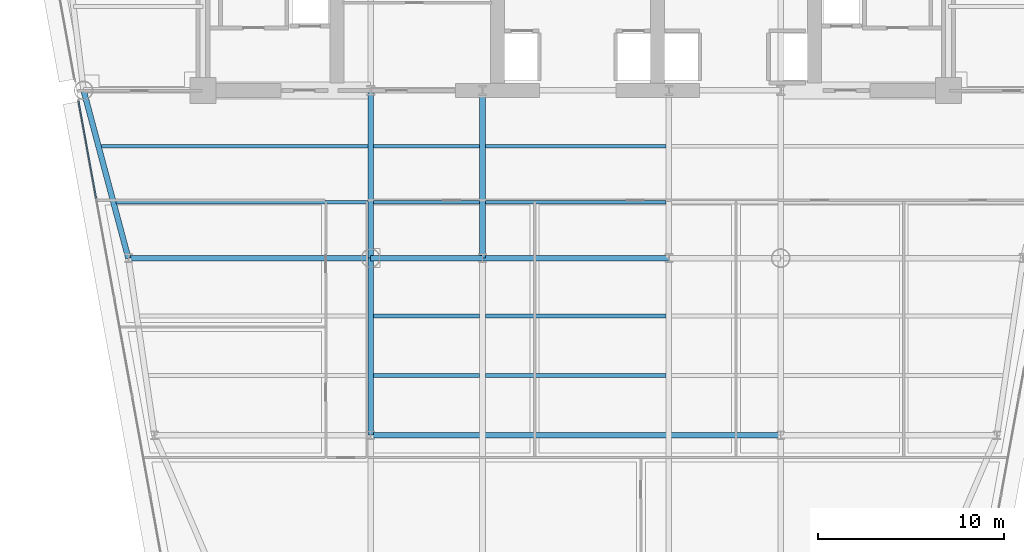
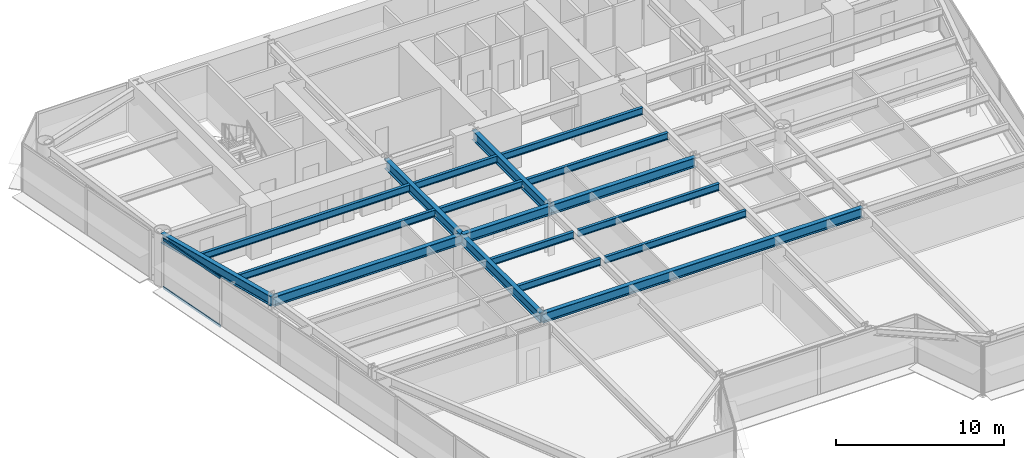
# One storey, part 3 of 14: 18 beams, 2 members, 1 element without a shape of its own.
"""IFC4 building model written with IfcOpenShell, lengths in metres."""

import ifcopenshell
import ifcopenshell.guid

model = None  # the IFC model being written
_history = None  # IfcOwnerHistory: only IFC2X3 demands one
_inside = {}  # id of a spatial element -> (the spatial element, [elements in it])
_under = {}  # id of a project, library or spatial element -> (it, [spatial elements below it])
_declared = {}  # id of a project -> (the project, [libraries it declares])
_typed = {}  # id of a type object -> (the type object, [elements of that type])
_made_of = {}  # id of a material, layer set ... -> (it, [elements and type objects made of it])


def new_model(schema):
    """Start an empty IFC model of exactly this schema.

    Asked for "IFC4X3", IfcOpenShell would pick the latest addendum, in which some entities
    have other attributes; the version numbers below select the first issue.
    IFC2X3 requires an IfcOwnerHistory on every rooted entity: one is made here for all.
    """
    global model, _history
    if schema == "IFC4X3":
        model = ifcopenshell.file(schema_version=(4, 3, 0, 0))
    else:
        model = ifcopenshell.file(schema=schema)
    _inside.clear()
    _under.clear()
    _declared.clear()
    _typed.clear()
    _made_of.clear()
    _history = None
    if model.schema == "IFC2X3":
        org = make("IfcOrganization", Name="unknown")
        user = make(
            "IfcPersonAndOrganization",
            ThePerson=make("IfcPerson", FamilyName="unknown"),
            TheOrganization=org,
        )
        app = make(
            "IfcApplication",
            ApplicationDeveloper=org,
            Version="unknown",
            ApplicationFullName="unknown",
            ApplicationIdentifier="unknown",
        )
        _history = make(
            "IfcOwnerHistory",
            OwningUser=user,
            OwningApplication=app,
            ChangeAction="ADDED",
            CreationDate=0,
        )
    return model


def make(cls, **values):
    """One entity of the class cls with the attributes given. An attribute that is None is left unset."""
    return model.create_entity(
        cls, **{name: value for name, value in values.items() if value is not None}
    )


def rooted(cls, **values):
    """An entity with a GlobalId (a new one), such as an element, a storey or a relation."""
    return make(cls, GlobalId=ifcopenshell.guid.new(), OwnerHistory=_history, **values)


def si_unit(unit_type, name, prefix=None):
    """IfcSIUnit, for example si_unit("LENGTHUNIT", "METRE", prefix="MILLI")."""
    return make("IfcSIUnit", UnitType=unit_type, Prefix=prefix, Name=name)


def assignment(units):
    """IfcUnitAssignment: the units of a project."""
    return None if units is None else make("IfcUnitAssignment", Units=units)


def point(xyz):
    """IfcCartesianPoint."""
    return None if xyz is None else make("IfcCartesianPoint", Coordinates=xyz)


def direction(xyz):
    """IfcDirection."""
    return None if xyz is None else make("IfcDirection", DirectionRatios=xyz)


def frame(location, z_axis=None, x_axis=None):
    """IfcAxis2Placement3D, a coordinate frame: its origin and axes. An axis left out is left unset."""
    return make(
        "IfcAxis2Placement3D",
        Location=point(location),
        Axis=direction(z_axis),
        RefDirection=direction(x_axis),
    )


def frame_2d(location, x_axis=None):
    """IfcAxis2Placement2D, a coordinate frame in the plane: its origin and x axis."""
    return make(
        "IfcAxis2Placement2D", Location=point(location), RefDirection=direction(x_axis)
    )


def origin():
    """The frame at (0, 0, 0) with its axes left unset."""
    return frame((0.0, 0.0, 0.0))


def origin_2d():
    """The frame at (0, 0) in the plane with its x axis left unset."""
    return frame_2d((0.0, 0.0))


def place(relative_to, where):
    """IfcLocalPlacement: puts the frame where relative to a parent placement (None: the world)."""
    return make(
        "IfcLocalPlacement", PlacementRelTo=relative_to, RelativePlacement=where
    )


def context(
    kind, dimensions, precision=None, world=None, true_north=None, identifier=None
):
    """IfcGeometricRepresentationContext, for example the 3D "Model" context."""
    return make(
        "IfcGeometricRepresentationContext",
        ContextIdentifier=identifier,
        ContextType=kind,
        CoordinateSpaceDimension=dimensions,
        Precision=precision,
        WorldCoordinateSystem=world,
        TrueNorth=true_north,
    )


def subcontext(parent, identifier, kind, view, scale=None):
    """IfcGeometricRepresentationSubContext, for example "Body" below "Model"."""
    return make(
        "IfcGeometricRepresentationSubContext",
        ContextIdentifier=identifier,
        ContextType=kind,
        ParentContext=parent,
        TargetScale=scale,
        TargetView=view,
    )


def project(units=None, contexts=None):
    """IfcProject with its units and contexts."""
    return rooted(
        "IfcProject",
        Name="project",
        RepresentationContexts=contexts,
        UnitsInContext=assignment(units),
    )


def spatial(cls, under=None, at=None, **own):
    """A site, building, storey or space (cls), placed at a placement, below another one or the project."""
    s = rooted(cls, ObjectPlacement=at, **own)
    if under is not None:
        _under.setdefault(under.id(), (under, []))[1].append(s)
    return s


def profile(cls, at=None, kind="AREA", **sizes):
    """A parametric profile (cls). Its sizes go by their IFC names, for example OverallWidth=200.0."""
    return make(cls, ProfileType=kind, Position=at, **sizes)


def rectangle(**sizes):
    """IfcRectangleProfileDef."""
    return profile("IfcRectangleProfileDef", **sizes)


def i_section(**sizes):
    """IfcIShapeProfileDef."""
    return profile("IfcIShapeProfileDef", **sizes)


def extrude(swept, where, along, depth):
    """IfcExtrudedAreaSolid: the profile swept, set in the frame where, extruded along a direction by depth."""
    return make(
        "IfcExtrudedAreaSolid",
        SweptArea=swept,
        Position=where,
        ExtrudedDirection=direction(along),
        Depth=depth,
    )


def shape(context_of_items, identifier, shape_type, items):
    """IfcShapeRepresentation: the items that make up one representation, for example the "Body"."""
    return make(
        "IfcShapeRepresentation",
        ContextOfItems=context_of_items,
        RepresentationIdentifier=identifier,
        RepresentationType=shape_type,
        Items=items,
    )


def source(mapping_origin, context_of_items, identifier, shape_type, items):
    """IfcRepresentationMap: a shape defined once, which mapped items show again and again."""
    return make(
        "IfcRepresentationMap",
        MappingOrigin=mapping_origin,
        MappedRepresentation=shape(context_of_items, identifier, shape_type, items),
    )


def transform(
    local_origin,
    x_axis=None,
    y_axis=None,
    z_axis=None,
    scale=None,
    scale2=None,
    scale3=None,
    uniform=True,
):
    """IfcCartesianTransformationOperator3D, or its non-uniform kind. x_axis, y_axis, z_axis: its Axis1, 2, 3."""
    if uniform:
        return make(
            "IfcCartesianTransformationOperator3D",
            Axis1=direction(x_axis),
            Axis2=direction(y_axis),
            LocalOrigin=point(local_origin),
            Scale=scale,
            Axis3=direction(z_axis),
        )
    return make(
        "IfcCartesianTransformationOperator3DnonUniform",
        Axis1=direction(x_axis),
        Axis2=direction(y_axis),
        LocalOrigin=point(local_origin),
        Scale=scale,
        Axis3=direction(z_axis),
        Scale2=scale2,
        Scale3=scale3,
    )


def mapped(mapping_source, mapping_target):
    """IfcMappedItem: shows the shape of a source again, moved by a transform."""
    return make(
        "IfcMappedItem", MappingSource=mapping_source, MappingTarget=mapping_target
    )


def material(Name=None, Category=None):
    """IfcMaterial."""
    return make("IfcMaterial", Name=Name, Category=Category)


def layer(
    of_material, thickness, ventilated=None, Name=None, Category=None, Priority=None
):
    """IfcMaterialLayer: one layer of a wall or slab, of a material (None: an air gap)."""
    return make(
        "IfcMaterialLayer",
        Material=of_material,
        LayerThickness=thickness,
        IsVentilated=ventilated,
        Name=Name,
        Category=Category,
        Priority=Priority,
    )


def layer_set(layers, Name=None):
    """IfcMaterialLayerSet."""
    return make("IfcMaterialLayerSet", MaterialLayers=layers, LayerSetName=Name)


def material_profile(
    of_material, cross_section, Name=None, Category=None, Priority=None
):
    """IfcMaterialProfile: a cross section and its material."""
    return make(
        "IfcMaterialProfile",
        Name=Name,
        Material=of_material,
        Profile=cross_section,
        Priority=Priority,
        Category=Category,
    )


def profile_set(profiles, Name=None, composite=None):
    """IfcMaterialProfileSet."""
    return make(
        "IfcMaterialProfileSet",
        Name=Name,
        MaterialProfiles=profiles,
        CompositeProfile=composite,
    )


def made_of(thing, what):
    """Note that an element or type object is made of a material, layer set ...; save() writes the relation."""
    if what is not None:
        _made_of.setdefault(what.id(), (what, []))[1].append(thing)
    return thing


def type_object(cls, material=None, **own):
    """A type object (cls), such as IfcWallType, which elements share."""
    return made_of(rooted(cls, **own), material)


def element(
    cls,
    number,
    at=None,
    inside=None,
    cuts=None,
    type_object=None,
    material=None,
    context=None,
    identifier="Body",
    shape_type=None,
    held_by="IfcProductDefinitionShape",
    body=None,
    shapes=None,
    **own,
):
    """One element of the class cls, such as IfcWall. Its Tag is "e" and its number.

    at: its placement. inside: the storey or other place that contains it. cuts: it is an
    opening in that element (IfcRelVoidsElement). A single representation is given by context,
    identifier, shape_type and body (its items); several are given by shapes. held_by: the class
    of the entity that holds the representations. save() writes the other relations.
    """
    e = rooted(cls, Tag="e%d" % number, ObjectPlacement=at, **own)
    if body is not None:
        shapes = [shape(context, identifier, shape_type, body)]
    if shapes is not None:
        e.Representation = make(held_by, Representations=shapes)
    if inside is not None:
        _inside.setdefault(inside.id(), (inside, []))[1].append(e)
    if cuts is not None:
        rooted(
            "IfcRelVoidsElement", RelatingBuildingElement=cuts, RelatedOpeningElement=e
        )
    if type_object is not None:
        _typed.setdefault(type_object.id(), (type_object, []))[1].append(e)
    return made_of(e, material)


def aggregate(whole, parts):
    """IfcRelAggregates: a whole, such as a stair, and the parts it consists of."""
    return rooted("IfcRelAggregates", RelatingObject=whole, RelatedObjects=parts)


def save(model, path):
    """Write the relations noted so far, then the file.

    IfcRelAggregates (storeys below a building ...), IfcRelContainedInSpatialStructure (elements
    in a storey), IfcRelDefinesByType, IfcRelAssociatesMaterial and IfcRelDeclares: one each for
    every whole, place, type object, material and project.
    """
    for whole, parts in _under.values():
        aggregate(whole, parts)
    for where, things in _inside.values():
        rooted(
            "IfcRelContainedInSpatialStructure",
            RelatedElements=things,
            RelatingStructure=where,
        )
    for kind, things in _typed.values():
        rooted("IfcRelDefinesByType", RelatedObjects=things, RelatingType=kind)
    for what, things in _made_of.values():
        rooted("IfcRelAssociatesMaterial", RelatedObjects=things, RelatingMaterial=what)
    for by, libraries in _declared.values():
        rooted("IfcRelDeclares", RelatingContext=by, RelatedDefinitions=libraries)
    model.write(path)


model = new_model("IFC4")

# Units and contexts
model_context = context("Model", 3, precision=1e-05, world=origin(), true_north=direction((0.0, 1.0)))
body_context = subcontext(model_context, "Body", "Model", "MODEL_VIEW")
ifc_project = project(units=[si_unit("LENGTHUNIT", "METRE"), si_unit("AREAUNIT", "SQUARE_METRE"), si_unit("VOLUMEUNIT", "CUBIC_METRE"), si_unit("PLANEANGLEUNIT", "RADIAN"), si_unit("MASSUNIT", "GRAM", prefix="KILO")], contexts=[model_context])

# Site, building, storey
site_placement = place(None, origin())
site = spatial("IfcSite", under=ifc_project, at=site_placement, CompositionType="ELEMENT")
building_placement = place(site_placement, origin())
building = spatial("IfcBuilding", under=site, at=building_placement, Name="Vaeldorn Concourse Tower", CompositionType="ELEMENT")
storey_placement = place(building_placement, frame((0.0, 0.0, 114.800048828125)))
storey = spatial("IfcBuildingStorey", under=building, at=storey_placement, Name="L29", CompositionType="ELEMENT", Elevation=114.800048828125)

# Beams
ifc_material_1 = material(Name="Steel S355", Category="steel")
ifc_material_profile_1 = material_profile(ifc_material_1, i_section(OverallWidth=0.199951171875, OverallDepth=0.5, WebThickness=0.01025390625, FlangeThickness=0.01611328125, FilletRadius=0.02099609375, at=origin_2d()), Name="IPE 500")
ifc_profile_set_1 = profile_set([ifc_material_profile_1], Name="Steel S355")
beam_type_1 = type_object("IfcBeamType", Name="BM-JS-IPE500", PredefinedType="JOIST", material=ifc_profile_set_1)
shared_shape_1 = source(origin(), body_context, "Body", "SweptSolid", [
    extrude(i_section(OverallWidth=0.199951171875, OverallDepth=0.5, WebThickness=0.01025390625, FlangeThickness=0.01611328125, FilletRadius=0.02099609375, at=origin_2d()), origin(), (0.0, 0.0, 1.0), 5.7001953125),
])
for number, where, z_axis, x_axis, name in (
    (1, (23.14990234375, 21.199951171875, 3.329833984375), (1.0, 0.0, 0.0), (0.0, 1.0, 0.0), "Beam JS-L29-W2-212"),
    (2, (23.14990234375, 24.39990234375, 3.329833984375), (1.0, 0.0, 0.0), (0.0, 1.0, 0.0), "Beam JS-L29-W2-244"),
    (3, (23.14990234375, 30.5, 3.329833984375), (1.0, 0.0, 0.0), (0.0, 1.0, 0.0), "Beam JS-L29-W2-305"),
    (4, (23.14990234375, 33.5, 3.329833984375), (1.0, 0.0, 0.0), (0.0, 1.0, 0.0), "Beam JS-L29-W2-335"),
):
    element("IfcBeam", number, at=place(storey_placement, frame(where, z_axis=z_axis, x_axis=x_axis)), inside=storey, type_object=beam_type_1, Name=name, PredefinedType="JOIST", context=body_context, shape_type="MappedRepresentation", body=[
        mapped(shared_shape_1, transform((0.0, 0.0, 0.0), scale=1.0)),
    ])
shared_shape_2 = source(origin(), body_context, "Body", "SweptSolid", [
    extrude(i_section(OverallWidth=0.199951171875, OverallDepth=0.5, WebThickness=0.01025390625, FlangeThickness=0.01611328125, FilletRadius=0.02099609375, at=origin_2d()), origin(), (0.0, 0.0, 1.0), 9.7001953125),
])
for number, where, z_axis, x_axis, name in (
    (5, (29.14990234375, 21.199951171875, 3.329833984375), (1.0, 0.0, 0.0), (0.0, 1.0, 0.0), "Beam JS-L29-C-212"),
    (6, (29.14990234375, 24.39990234375, 3.329833984375), (1.0, 0.0, 0.0), (0.0, 1.0, 0.0), "Beam JS-L29-C-244"),
    (7, (29.14990234375, 30.5, 3.329833984375), (1.0, 0.0, 0.0), (0.0, 1.0, 0.0), "Beam JS-L29-C-305"),
    (8, (29.14990234375, 33.5, 3.329833984375), (1.0, 0.0, 0.0), (0.0, 1.0, 0.0), "Beam JS-L29-C-335"),
):
    element("IfcBeam", number, at=place(storey_placement, frame(where, z_axis=z_axis, x_axis=x_axis)), inside=storey, type_object=beam_type_1, Name=name, PredefinedType="JOIST", context=body_context, shape_type="MappedRepresentation", body=[
        mapped(shared_shape_2, transform((0.0, 0.0, 0.0), scale=1.0)),
    ])
shared_shape_3 = source(origin(), body_context, "Body", "SweptSolid", [
    extrude(i_section(OverallWidth=0.199951171875, OverallDepth=0.5, WebThickness=0.01025390625, FlangeThickness=0.01611328125, FilletRadius=0.02099609375, at=origin_2d()), origin(), (0.0, 0.0, 1.0), 13.5),
])
beam_1_placement = place(storey_placement, frame((9.35009765625, 30.5, 3.329833984375), z_axis=(1.0, 0.0, 0.0), x_axis=(0.0, 1.0, 0.0)))
element("IfcBeam", 9, at=beam_1_placement, inside=storey, type_object=beam_type_1, Name="Beam JS-L29-W1-305", PredefinedType="JOIST", context=body_context, shape_type="MappedRepresentation", body=[
    mapped(shared_shape_3, transform((0.0, 0.0, 0.0), scale=1.0)),
])
shared_shape_4 = source(origin(), body_context, "Body", "SweptSolid", [
    extrude(i_section(OverallWidth=0.199951171875, OverallDepth=0.5, WebThickness=0.01025390625, FlangeThickness=0.01611328125, FilletRadius=0.02099609375, at=origin_2d()), origin(), (0.0, 0.0, 1.0), 14.300048828125),
])
beam_2_placement = place(storey_placement, frame((8.550048828125, 33.5, 3.329833984375), z_axis=(1.0, 0.0, 0.0), x_axis=(0.0, 1.0, 0.0)))
element("IfcBeam", 10, at=beam_2_placement, inside=storey, type_object=beam_type_1, Name="Beam JS-L29-W1-335", PredefinedType="JOIST", context=body_context, shape_type="MappedRepresentation", body=[
    mapped(shared_shape_4, transform((0.0, 0.0, 0.0), scale=1.0)),
])
ifc_material_profile_2 = material_profile(ifc_material_1, i_section(OverallWidth=0.300048828125, OverallDepth=0.699951171875, WebThickness=0.01708984375, FlangeThickness=0.031982421875, FilletRadius=0.027099609375, at=origin_2d()), Name="HEB 700")
ifc_profile_set_2 = profile_set([ifc_material_profile_2], Name="Steel S355")
beam_type_2 = type_object("IfcBeamType", Name="BM-PG-HEB700", PredefinedType="BEAM", material=ifc_profile_set_2)
shared_shape_5 = source(origin(), body_context, "Body", "SweptSolid", [
    extrude(i_section(OverallWidth=0.300048828125, OverallDepth=0.699951171875, WebThickness=0.01708984375, FlangeThickness=0.031982421875, FilletRadius=0.027099609375, at=origin_2d()), origin(), (0.0, 0.0, 1.0), 6.0),
])
beam_3_placement = place(storey_placement, frame((23.0, 27.5, 3.22998046875), z_axis=(1.0, 0.0, 0.0), x_axis=(0.0, 1.0, 0.0)))
element("IfcBeam", 11, at=beam_3_placement, inside=storey, type_object=beam_type_2, Name="Beam BM-L29-C-TW1-C-TW2", PredefinedType="BEAM", context=body_context, shape_type="MappedRepresentation", body=[
    mapped(shared_shape_5, transform((0.0, 0.0, 0.0), scale=1.0)),
])
shared_shape_6 = source(origin(), body_context, "Body", "SweptSolid", [
    extrude(i_section(OverallWidth=0.300048828125, OverallDepth=0.699951171875, WebThickness=0.01708984375, FlangeThickness=0.031982421875, FilletRadius=0.027099609375, at=origin_2d()), origin(), (0.0, 0.0, 1.0), 10.0),
])
beam_4_placement = place(storey_placement, frame((29.0, 27.5, 3.22998046875), z_axis=(1.0, 0.0, 0.0), x_axis=(0.0, 1.0, 0.0)))
element("IfcBeam", 12, at=beam_4_placement, inside=storey, type_object=beam_type_2, Name="Beam BM-L29-C-TW2-C-TW3", PredefinedType="BEAM", context=body_context, shape_type="MappedRepresentation", body=[
    mapped(shared_shape_6, transform((0.0, 0.0, 0.0), scale=1.0)),
])
shared_shape_7 = source(origin(), body_context, "Body", "SweptSolid", [
    extrude(i_section(OverallWidth=0.300048828125, OverallDepth=0.699951171875, WebThickness=0.01708984375, FlangeThickness=0.031982421875, FilletRadius=0.027099609375, at=origin_2d()), origin(), (0.0, 0.0, 1.0), 9.0),
])
for number, where, z_axis, x_axis, name in (
    (13, (23.0, 27.5, 3.22998046875), (0.0, 1.0, 0.0), (-1.0, 0.0, 0.0), "Beam BM-L29-C-TW1-C-FC2"),
    (14, (29.0, 27.5, 3.22998046875), (0.0, 1.0, 0.0), (-1.0, 0.0, 0.0), "Beam BM-L29-C-TW2-C-FC3"),
):
    element("IfcBeam", number, at=place(storey_placement, frame(where, z_axis=z_axis, x_axis=x_axis)), inside=storey, type_object=beam_type_2, Name=name, PredefinedType="BEAM", context=body_context, shape_type="MappedRepresentation", body=[
        mapped(shared_shape_7, transform((0.0, 0.0, 0.0), scale=1.0)),
    ])
shared_shape_8 = source(origin(), body_context, "Body", "SweptSolid", [
    extrude(i_section(OverallWidth=0.300048828125, OverallDepth=0.699951171875, WebThickness=0.01708984375, FlangeThickness=0.031982421875, FilletRadius=0.027099609375, at=origin_2d()), origin(), (0.0, 0.0, 1.0), 9.314453125),
])
beam_5_placement = place(storey_placement, frame((7.60009765625, 36.5, 3.22998046875), z_axis=(0.257652862255, -0.966237549763, 0.0), x_axis=(0.966237549763, 0.257652862255, 0.0)))
element("IfcBeam", 15, at=beam_5_placement, inside=storey, type_object=beam_type_2, Name="Beam BM-L29-C-NW2-C-FLW1", PredefinedType="BEAM", context=body_context, shape_type="MappedRepresentation", body=[
    mapped(shared_shape_8, transform((0.0, 0.0, 0.0), scale=1.0)),
])
shared_shape_9 = source(origin(), body_context, "Body", "SweptSolid", [
    extrude(i_section(OverallWidth=0.300048828125, OverallDepth=0.699951171875, WebThickness=0.01708984375, FlangeThickness=0.031982421875, FilletRadius=0.027099609375, at=origin_2d()), origin(), (0.0, 0.0, 1.0), 13.0),
])
beam_6_placement = place(storey_placement, frame((10.0, 27.5, 3.22998046875), z_axis=(1.0, 0.0, 0.0), x_axis=(0.0, 1.0, 0.0)))
element("IfcBeam", 16, at=beam_6_placement, inside=storey, type_object=beam_type_2, Name="Beam BM-L29-C-FLW1-C-TW1", PredefinedType="BEAM", context=body_context, shape_type="MappedRepresentation", body=[
    mapped(shared_shape_9, transform((0.0, 0.0, 0.0), scale=1.0)),
])
shared_shape_10 = source(origin(), body_context, "Body", "SweptSolid", [
    extrude(i_section(OverallWidth=0.300048828125, OverallDepth=0.699951171875, WebThickness=0.01708984375, FlangeThickness=0.031982421875, FilletRadius=0.027099609375, at=origin_2d()), origin(), (0.0, 0.0, 1.0), 22.0),
])
beam_7_placement = place(storey_placement, frame((23.0, 18.0, 3.22998046875), z_axis=(1.0, 0.0, 0.0), x_axis=(0.0, 1.0, 0.0)))
element("IfcBeam", 17, at=beam_7_placement, inside=storey, type_object=beam_type_2, Name="Beam BM-L29-C-TW5-C-TW6", PredefinedType="BEAM", context=body_context, shape_type="MappedRepresentation", body=[
    mapped(shared_shape_10, transform((0.0, 0.0, 0.0), scale=1.0)),
])
shared_shape_11 = source(origin(), body_context, "Body", "SweptSolid", [
    extrude(i_section(OverallWidth=0.300048828125, OverallDepth=0.699951171875, WebThickness=0.01708984375, FlangeThickness=0.031982421875, FilletRadius=0.027099609375, at=origin_2d()), origin(), (0.0, 0.0, 1.0), 9.5),
])
beam_8_placement = place(storey_placement, frame((23.0, 18.0, 3.22998046875), z_axis=(0.0, 1.0, 0.0), x_axis=(-1.0, 0.0, 0.0)))
element("IfcBeam", 18, at=beam_8_placement, inside=storey, type_object=beam_type_2, Name="Beam BM-L29-C-TW5-C-TW1", PredefinedType="BEAM", context=body_context, shape_type="MappedRepresentation", body=[
    mapped(shared_shape_11, transform((0.0, 0.0, 0.0), scale=1.0)),
])

# Curtain wall, members
ifc_material_2 = material(Name="Anodised Bronze Aluminium", Category="aluminium")
ifc_layer = layer(ifc_material_2, 0.199951171875)
ifc_layer_set = layer_set([ifc_layer], Name="Anodised Bronze Aluminium")
curtain_wall_type = type_object("IfcCurtainWallType", Name="CW-SYS-02", PredefinedType="NOTDEFINED", material=ifc_layer_set)
curtain_wall_placement = place(storey_placement, origin())
curtain_wall = element("IfcCurtainWall", 19, at=curtain_wall_placement, inside=storey, type_object=curtain_wall_type, Name="Unitised Curtain Wall CW-L29-E11-2", PredefinedType="NOTDEFINED")
ifc_material_profile_3 = material_profile(ifc_material_2, rectangle(XDim=0.074951171875, YDim=0.179931640625, at=origin_2d()), Name="CWT 75x180")
ifc_profile_set_3 = profile_set([ifc_material_profile_3], Name="Anodised Bronze Aluminium")
member_type = type_object("IfcMemberType", Name="CWT-BRONZE-180", PredefinedType="USERDEFINED", material=ifc_profile_set_3)
shared_shape_12 = source(origin(), body_context, "Body", "SweptSolid", [
    extrude(rectangle(XDim=0.074951171875, YDim=0.179931640625, at=origin_2d()), origin(), (0.0, 0.0, 1.0), 5.26953125),
])
member_1_placement = place(storey_placement, frame((7.328857421875, 35.908203125, 0.037353515625), z_axis=(0.179113750135, -0.983828371472, 0.0), x_axis=(0.983828371472, 0.179113750135, 0.0)))
member_1 = element("IfcMember", 20, at=member_1_placement, type_object=member_type, Name="CW-02 transom 1.1", ObjectType="TRANSOM", PredefinedType="USERDEFINED", context=body_context, shape_type="MappedRepresentation", body=[
    mapped(shared_shape_12, transform((0.0, 0.0, 0.0), scale=1.0)),
])
member_2_placement = place(storey_placement, frame((7.328857421875, 35.908203125, 3.54248046875), z_axis=(0.179113750135, -0.983828371472, 0.0), x_axis=(0.983828371472, 0.179113750135, 0.0)))
member_2 = element("IfcMember", 21, at=member_2_placement, type_object=member_type, Name="CW-02 transom 1.2", ObjectType="TRANSOM", PredefinedType="USERDEFINED", context=body_context, shape_type="MappedRepresentation", body=[
    mapped(shared_shape_12, transform((0.0, 0.0, 0.0), scale=1.0)),
])
aggregate(curtain_wall, [member_1, member_2])

save(model, "model.ifc")
